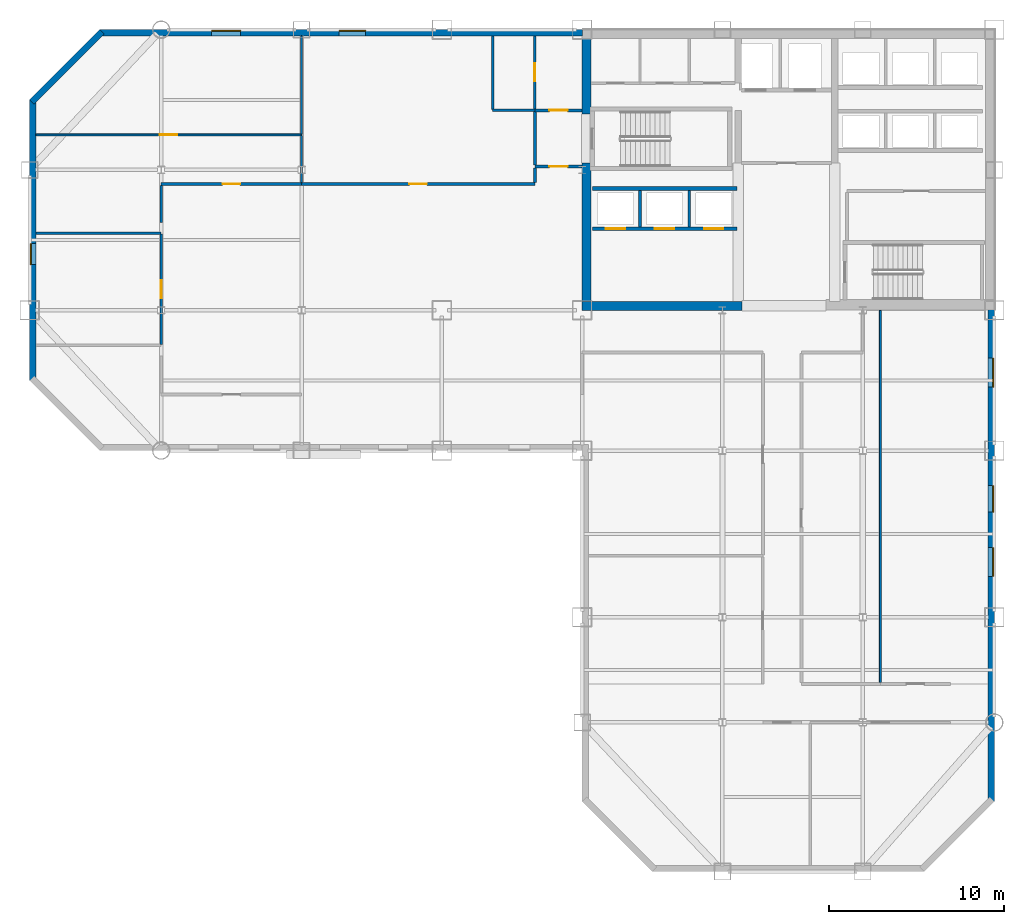
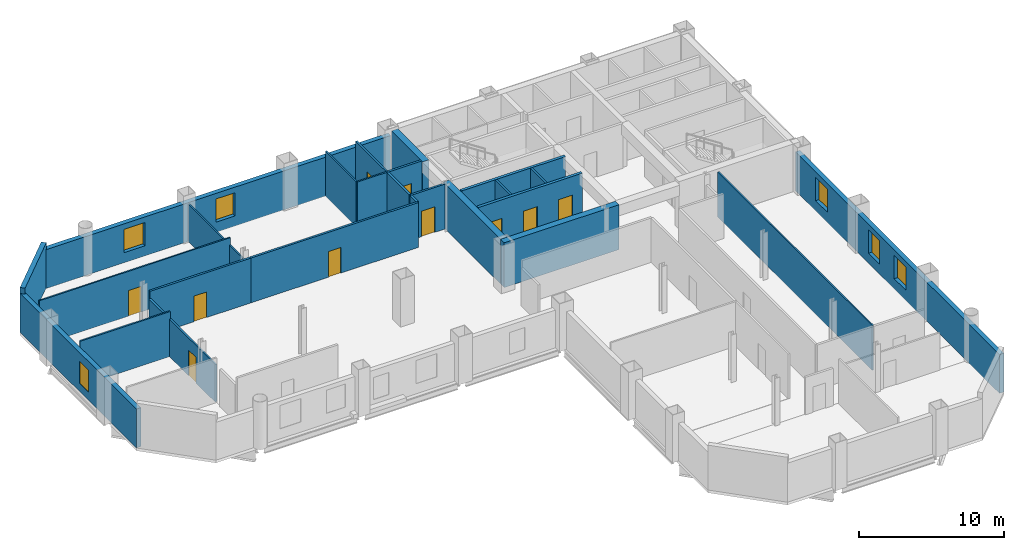
# One storey, part 6 of 9: 27 walls, 10 doors, 6 windows, 16 openings.
"""IFC4 building model written with IfcOpenShell, lengths in metres."""

from ifc_helpers import new_model, si_unit, direction, frame, frame_2d, origin, place, context, subcontext, project, spatial, rectangle, extrude, material, layer, layer_set, type_object, element, fill, save


model = new_model("IFC4")

# Units and contexts
model_context = context("Model", 3, precision=1e-05, world=origin(), true_north=direction((0.0, 1.0)))
body_context = subcontext(model_context, "Body", "Model", "MODEL_VIEW")
ifc_project = project(units=[si_unit("LENGTHUNIT", "METRE"), si_unit("AREAUNIT", "SQUARE_METRE"), si_unit("VOLUMEUNIT", "CUBIC_METRE"), si_unit("PLANEANGLEUNIT", "RADIAN"), si_unit("MASSUNIT", "GRAM", prefix="KILO")], contexts=[model_context])

# Site, building, storey
site_placement = place(None, origin())
site = spatial("IfcSite", under=ifc_project, at=site_placement, CompositionType="ELEMENT")
building_placement = place(site_placement, origin())
building = spatial("IfcBuilding", under=site, at=building_placement, Name="Qianrong Seaharbour Tower", CompositionType="ELEMENT")
storey_placement = place(building_placement, frame((0.0, 0.0, 155.0)))
storey = spatial("IfcBuildingStorey", under=building, at=storey_placement, Name="L37", CompositionType="ELEMENT", Elevation=155.0)

# Walls
ifc_material_1 = material(Name="Concrete C60/75", Category="concrete")
ifc_layer_1 = layer(ifc_material_1, 0.5)
ifc_layer_set_1 = layer_set([ifc_layer_1], Name="Concrete C60/75")
wall_type_1 = type_object("IfcWallType", Name="WALL-CORE-500", PredefinedType="SHEAR", material=ifc_layer_set_1)
wall_1_placement = place(storey_placement, frame((40.75, 36.5, 0.0), z_axis=(0.0, 0.0, 1.0), x_axis=(0.0, 1.0, 0.0)))
element("IfcWall", 1, at=wall_1_placement, inside=storey, type_object=wall_type_1, Name="L37 West Core Shear Wall South", PredefinedType="SHEAR", context=body_context, shape_type="SweptSolid", body=[
    extrude(rectangle(XDim=7.89990234375, YDim=0.5, at=frame_2d((3.949951171875, 0.0))), origin(), (0.0, 0.0, 1.0), 3.764892578125),
])
wall_2_placement = place(storey_placement, frame((40.75, 47.199951171875, 0.0), z_axis=(0.0, 0.0, 1.0), x_axis=(0.0, 1.0, 0.0)))
element("IfcWall", 2, at=wall_2_placement, inside=storey, type_object=wall_type_1, Name="L37 West Core Shear Wall North", PredefinedType="SHEAR", context=body_context, shape_type="SweptSolid", body=[
    extrude(rectangle(XDim=4.300048828125, YDim=0.5, at=frame_2d((2.14990234375, 0.0))), origin(), (0.0, 0.0, 1.0), 3.764892578125),
])
wall_3_placement = place(storey_placement, frame((40.5, 36.25, 0.0), z_axis=(0.0, 0.0, 1.0), x_axis=(1.0, 0.0, 0.0)))
element("IfcWall", 3, at=wall_3_placement, inside=storey, type_object=wall_type_1, Name="L37 South Core Shear Wall S1", PredefinedType="SHEAR", context=body_context, shape_type="SweptSolid", body=[
    extrude(rectangle(XDim=9.10009765625, YDim=0.5, at=frame_2d((4.550048828125, 0.0))), origin(), (0.0, 0.0, 1.0), 3.764892578125),
])

# Wall, opening, door
ifc_material_2 = material(Name="Fire-rated acoustic gypsum board partition")
ifc_layer_2 = layer(ifc_material_2, 0.1650390625)
ifc_layer_set_2 = layer_set([ifc_layer_2], Name="Fire-rated acoustic gypsum board partition")
wall_type_2 = type_object("IfcWallType", Name="WALL-CORR-PART-165", PredefinedType="PARTITIONING", material=ifc_layer_set_2)
wall_4_placement = place(storey_placement, frame((37.800048828125, 47.39990234375, 0.0), z_axis=(0.0, 0.0, 1.0), x_axis=(1.0, 0.0, 0.0)))
wall_4 = element("IfcWall", 4, at=wall_4_placement, inside=storey, type_object=wall_type_2, Name="L37 Interior Partition Wall 001", PredefinedType="PARTITIONING", context=body_context, shape_type="SweptSolid", body=[
    extrude(rectangle(XDim=2.699951171875, YDim=0.1650390625, at=frame_2d((1.35009765625, 0.0))), origin(), (0.0, 0.0, 1.0), 3.764892578125),
])
opening_1_placement = place(wall_4_placement, frame((0.824951171875, 0.0, 0.0)))
opening_1 = element("IfcOpeningElement", 5, at=opening_1_placement, cuts=wall_4, Name="Opening DC-01", PredefinedType="OPENING", context=body_context, shape_type="SweptSolid", body=[
    extrude(rectangle(XDim=1.050048828125, YDim=2.14990234375, at=frame_2d((0.52490234375, 1.074951171875))), frame((0.0, 0.092529296875, 0.0), z_axis=(0.0, -1.0, 0.0), x_axis=(1.0, 0.0, 0.0)), (0.0, 0.0, 1.0), 0.18505859375),
])
ifc_material_3 = material(Name="Acoustic timber and galvanized steel fire door assembly", Category="steel")
door_type_1 = type_object("IfcDoorType", Name="DOOR-CORR-FD60-1050x2150", OperationType="NOTDEFINED", PredefinedType="DOOR", material=ifc_material_3)
door_1_placement = place(opening_1_placement, origin())
door_1 = element("IfcDoor", 6, at=door_1_placement, inside=storey, type_object=door_type_1, Name="L37 Smokeproof Stair Vestibule ST-1 Door", OperationType="SINGLE_SWING_LEFT", OverallHeight=2.14990234375, OverallWidth=1.050048828125, PredefinedType="DOOR", context=body_context, shape_type="SweptSolid", body=[
    extrude(rectangle(XDim=1.050048828125, YDim=2.14990234375, at=frame_2d((0.52490234375, 1.074951171875))), frame((0.0, 0.02490234375, 0.0), z_axis=(0.0, -1.0, 0.0), x_axis=(1.0, 0.0, 0.0)), (0.0, 0.0, 1.0), 0.050048828125),
])
fill(opening_1, door_1)

wall_5_placement = place(storey_placement, frame((40.5, 44.199951171875, 0.0), z_axis=(0.0, 0.0, 1.0), x_axis=(-1.0, 0.0, 0.0)))
wall_5 = element("IfcWall", 7, at=wall_5_placement, inside=storey, type_object=wall_type_2, Name="L37 Interior Partition Wall 002", PredefinedType="PARTITIONING", context=body_context, shape_type="SweptSolid", body=[
    extrude(rectangle(XDim=2.699951171875, YDim=0.1650390625, at=frame_2d((1.35009765625, 0.0))), origin(), (0.0, 0.0, 1.0), 3.764892578125),
])
opening_2_placement = place(wall_5_placement, frame((0.824951171875, 0.0, 0.0)))
opening_2 = element("IfcOpeningElement", 8, at=opening_2_placement, cuts=wall_5, Name="Opening DC-01", PredefinedType="OPENING", context=body_context, shape_type="SweptSolid", body=[
    extrude(rectangle(XDim=1.050048828125, YDim=2.14990234375, at=frame_2d((0.52490234375, 1.074951171875))), frame((0.0, 0.092529296875, 0.0), z_axis=(0.0, -1.0, 0.0), x_axis=(1.0, 0.0, 0.0)), (0.0, 0.0, 1.0), 0.18505859375),
])
door_2_placement = place(opening_2_placement, origin())
door_2 = element("IfcDoor", 9, at=door_2_placement, inside=storey, type_object=door_type_1, Name="L37 Smokeproof Stair Vestibule ST-1 Door", OperationType="SINGLE_SWING_RIGHT", OverallHeight=2.14990234375, OverallWidth=1.050048828125, PredefinedType="DOOR", context=body_context, shape_type="SweptSolid", body=[
    extrude(rectangle(XDim=1.050048828125, YDim=2.14990234375, at=frame_2d((0.52490234375, 1.074951171875))), frame((0.0, 0.02490234375, 0.0), z_axis=(0.0, -1.0, 0.0), x_axis=(1.0, 0.0, 0.0)), (0.0, 0.0, 1.0), 0.050048828125),
])
fill(opening_2, door_2)

# Wall
wall_6_placement = place(storey_placement, frame((37.800048828125, 44.2744140625, 0.0), z_axis=(0.0, 0.0, 1.0), x_axis=(0.0, 1.0, 0.0)))
element("IfcWall", 10, at=wall_6_placement, inside=storey, type_object=wall_type_2, Name="L37 Interior Partition Wall 003", PredefinedType="PARTITIONING", context=body_context, shape_type="SweptSolid", body=[
    extrude(rectangle(XDim=3.051025390625, YDim=0.1650390625, at=frame_2d((1.525390625, 0.0))), origin(), (0.0, 0.0, 1.0), 3.764892578125),
])

# Wall, opening, door
wall_7_placement = place(storey_placement, frame((24.5, 43.199951171875, 0.0), z_axis=(0.0, 0.0, 1.0), x_axis=(1.0, 0.0, 0.0)))
wall_7 = element("IfcWall", 11, at=wall_7_placement, inside=storey, type_object=wall_type_2, Name="L37 Interior Partition Wall 017", PredefinedType="PARTITIONING", context=body_context, shape_type="SweptSolid", body=[
    extrude(rectangle(XDim=13.300048828125, YDim=0.1650390625, at=frame_2d((6.64990234375, 0.0))), origin(), (0.0, 0.0, 1.0), 3.764892578125),
])
opening_3_placement = place(wall_7_placement, frame((6.14990234375, 0.0, 0.0)))
opening_3 = element("IfcOpeningElement", 12, at=opening_3_placement, cuts=wall_7, Name="Opening DO-01", PredefinedType="OPENING", context=body_context, shape_type="SweptSolid", body=[
    extrude(rectangle(XDim=1.0, YDim=2.14990234375, at=frame_2d((0.5, 1.074951171875))), frame((0.0, 0.092529296875, 0.0), z_axis=(0.0, -1.0, 0.0), x_axis=(1.0, 0.0, 0.0)), (0.0, 0.0, 1.0), 0.18505859375),
])
door_type_2 = type_object("IfcDoorType", Name="DOOR-OFFICE-1000x2150", OperationType="NOTDEFINED", PredefinedType="DOOR", material=ifc_material_3)
door_3_placement = place(opening_3_placement, origin())
door_3 = element("IfcDoor", 13, at=door_3_placement, inside=storey, type_object=door_type_2, Name="L37 Central Spine Open-Plan Office Door", OperationType="SINGLE_SWING_RIGHT", OverallHeight=2.14990234375, OverallWidth=1.0, PredefinedType="DOOR", context=body_context, shape_type="SweptSolid", body=[
    extrude(rectangle(XDim=1.0, YDim=2.14990234375, at=frame_2d((0.5, 1.074951171875))), frame((0.0, 0.02490234375, 0.0), z_axis=(0.0, -1.0, 0.0), x_axis=(1.0, 0.0, 0.0)), (0.0, 0.0, 1.0), 0.050048828125),
])
fill(opening_3, door_3)

# Wall
wall_8_placement = place(storey_placement, frame((16.5, 41.0, 0.0), z_axis=(0.0, 0.0, 1.0), x_axis=(0.0, 1.0, 0.0)))
element("IfcWall", 14, at=wall_8_placement, inside=storey, type_object=wall_type_2, Name="L37 Interior Partition Wall 018", PredefinedType="PARTITIONING", context=body_context, shape_type="SweptSolid", body=[
    extrude(rectangle(XDim=2.12548828125, YDim=0.1650390625, at=frame_2d((1.062744140625, 0.0))), origin(), (0.0, 0.0, 1.0), 3.156982421875),
])

# Wall, opening, door
wall_9_placement = place(storey_placement, frame((16.5, 43.199951171875, 0.0), z_axis=(0.0, 0.0, 1.0), x_axis=(1.0, 0.0, 0.0)))
wall_9 = element("IfcWall", 15, at=wall_9_placement, inside=storey, type_object=wall_type_2, Name="L37 Interior Partition Wall 019", PredefinedType="PARTITIONING", context=body_context, shape_type="SweptSolid", body=[
    extrude(rectangle(XDim=8.0, YDim=0.1650390625, at=frame_2d((4.0, 0.0))), origin(), (0.0, 0.0, 1.0), 3.764892578125),
])
opening_4_placement = place(wall_9_placement, frame((3.5, 0.0, 0.0)))
opening_4 = element("IfcOpeningElement", 16, at=opening_4_placement, cuts=wall_9, Name="Opening DO-01", PredefinedType="OPENING", context=body_context, shape_type="SweptSolid", body=[
    extrude(rectangle(XDim=1.0, YDim=2.14990234375, at=frame_2d((0.5, 1.074951171875))), frame((0.0, 0.092529296875, 0.0), z_axis=(0.0, -1.0, 0.0), x_axis=(1.0, 0.0, 0.0)), (0.0, 0.0, 1.0), 0.18505859375),
])
door_4_placement = place(opening_4_placement, origin())
door_4 = element("IfcDoor", 17, at=door_4_placement, inside=storey, type_object=door_type_2, Name="L37 Hospitality Dining Room 3 Door", OperationType="SINGLE_SWING_LEFT", OverallHeight=2.14990234375, OverallWidth=1.0, PredefinedType="DOOR", context=body_context, shape_type="SweptSolid", body=[
    extrude(rectangle(XDim=1.0, YDim=2.14990234375, at=frame_2d((0.5, 1.074951171875))), frame((0.0, 0.02490234375, 0.0), z_axis=(0.0, -1.0, 0.0), x_axis=(1.0, 0.0, 0.0)), (0.0, 0.0, 1.0), 0.050048828125),
])
fill(opening_4, door_4)

# Walls
wall_10_placement = place(storey_placement, frame((37.800048828125, 43.2744140625, 0.0), z_axis=(0.0, 0.0, 1.0), x_axis=(0.0, 1.0, 0.0)))
element("IfcWall", 18, at=wall_10_placement, inside=storey, type_object=wall_type_2, Name="L37 Interior Partition Wall 021", PredefinedType="PARTITIONING", context=body_context, shape_type="SweptSolid", body=[
    extrude(rectangle(XDim=0.85107421875, YDim=0.1650390625, at=frame_2d((0.425537109375, 0.0))), origin(), (0.0, 0.0, 1.0), 3.764892578125),
])
ifc_material_4 = material(Name="Demountable aluminium-framed acoustic office partition", Category="aluminium")
ifc_layer_3 = layer(ifc_material_4, 0.110107421875)
ifc_layer_set_3 = layer_set([ifc_layer_3], Name="Demountable aluminium-framed acoustic office partition")
wall_type_3 = type_object("IfcWallType", Name="WALL-DEMOUNT-110", PredefinedType="MOVABLE", material=ifc_layer_set_3)
wall_11_placement = place(storey_placement, frame((24.5, 43.2744140625, 0.0), z_axis=(0.0, 0.0, 1.0), x_axis=(0.0, 1.0, 0.0)))
element("IfcWall", 19, at=wall_11_placement, inside=storey, type_object=wall_type_3, Name="L37 Interior Partition Wall 033", PredefinedType="MOVABLE", context=body_context, shape_type="SweptSolid", body=[
    extrude(rectangle(XDim=2.678466796875, YDim=0.110107421875, at=frame_2d((1.33935546875, 0.0))), origin(), (0.0, 0.0, 1.0), 3.156982421875),
])
wall_12_placement = place(storey_placement, frame((24.5, 46.047119140625, 0.0), z_axis=(0.0, 0.0, 1.0), x_axis=(0.0, 1.0, 0.0)))
element("IfcWall", 20, at=wall_12_placement, inside=storey, type_object=wall_type_3, Name="L37 Interior Partition Wall 034", PredefinedType="MOVABLE", context=body_context, shape_type="SweptSolid", body=[
    extrude(rectangle(XDim=5.600830078125, YDim=0.110107421875, at=frame_2d((2.80029296875, 0.0))), origin(), (0.0, 0.0, 1.0), 3.156982421875),
])

# Wall, opening, door
wall_13_placement = place(storey_placement, frame((9.35205078125, 46.0, 0.0), z_axis=(0.0, 0.0, 1.0), x_axis=(1.0, 0.0, 0.0)))
wall_13 = element("IfcWall", 21, at=wall_13_placement, inside=storey, type_object=wall_type_3, Name="L37 Interior Partition Wall 037", PredefinedType="MOVABLE", context=body_context, shape_type="SweptSolid", body=[
    extrude(rectangle(XDim=15.14794921875, YDim=0.110107421875, at=frame_2d((7.573974609375, 0.0))), origin(), (0.0, 0.0, 1.0), 3.764892578125),
])
opening_5_placement = place(wall_13_placement, frame((7.073974609375, 0.0, 0.0)))
opening_5 = element("IfcOpeningElement", 22, at=opening_5_placement, cuts=wall_13, Name="Opening DO-01", PredefinedType="OPENING", context=body_context, shape_type="SweptSolid", body=[
    extrude(rectangle(XDim=1.0, YDim=2.14990234375, at=frame_2d((0.5, 1.074951171875))), frame((0.0, 0.06494140625, 0.0), z_axis=(0.0, -1.0, 0.0), x_axis=(1.0, 0.0, 0.0)), (0.0, 0.0, 1.0), 0.130126953125),
])
door_5_placement = place(opening_5_placement, origin())
door_5 = element("IfcDoor", 23, at=door_5_placement, inside=storey, type_object=door_type_2, Name="L37 Quiet Sitting Lounge 4 Door", OperationType="SINGLE_SWING_RIGHT", OverallHeight=2.14990234375, OverallWidth=1.0, PredefinedType="DOOR", context=body_context, shape_type="SweptSolid", body=[
    extrude(rectangle(XDim=1.0, YDim=2.14990234375, at=frame_2d((0.5, 1.074951171875))), frame((0.0, 0.02490234375, 0.0), z_axis=(0.0, -1.0, 0.0), x_axis=(1.0, 0.0, 0.0)), (0.0, 0.0, 1.0), 0.050048828125),
])
fill(opening_5, door_5)

# Wall
wall_14_placement = place(storey_placement, frame((57.5, 36.0, 0.0), z_axis=(0.0, 0.0, 1.0), x_axis=(0.0, -1.0, 0.0)))
element("IfcWall", 24, at=wall_14_placement, inside=storey, type_object=wall_type_3, Name="L37 Interior Partition Wall 038", PredefinedType="MOVABLE", context=body_context, shape_type="SweptSolid", body=[
    extrude(rectangle(XDim=21.2255859375, YDim=0.110107421875, at=frame_2d((10.61279296875, 0.0))), origin(), (0.0, 0.0, 1.0), 3.764892578125),
])

# Wall, opening, window
ifc_material_5 = material(Name="Unitised red brick on Precast concrete C45/55", Category="masonry")
ifc_layer_4 = layer(ifc_material_5, 0.360107421875)
ifc_layer_set_4 = layer_set([ifc_layer_4], Name="Unitised red brick on Precast concrete C45/55")
wall_type_4 = type_object("IfcWallType", Name="WALL-EXT-BRICK-RED-360", PredefinedType="SOLIDWALL", material=ifc_layer_set_4)
wall_15_placement = place(storey_placement, frame((9.179931640625, 32.0, 0.0), z_axis=(0.0, 0.0, 1.0), x_axis=(0.0, 1.0, 0.0)))
wall_15 = element("IfcWall", 25, at=wall_15_placement, inside=storey, type_object=wall_type_4, Name="L37 Exterior Masonry Facade Wall WEST_TIP", PredefinedType="SOLIDWALL", context=body_context, shape_type="SweptSolid", body=[
    extrude(rectangle(XDim=16.0, YDim=0.360107421875, at=frame_2d((8.0, 0.0))), origin(), (0.0, 0.0, 1.0), 3.264892578125),
])
opening_6_placement = place(wall_15_placement, frame((6.60009765625, 0.0, 0.699951171875)))
opening_6 = element("IfcOpeningElement", 26, at=opening_6_placement, cuts=wall_15, Name="Opening WN-01", PredefinedType="OPENING", context=body_context, shape_type="SweptSolid", body=[
    extrude(rectangle(XDim=1.199951171875, YDim=1.85009765625, at=frame_2d((0.60009765625, 0.925048828125))), frame((0.0, 0.18994140625, 0.0), z_axis=(0.0, -1.0, 0.0), x_axis=(1.0, 0.0, 0.0)), (0.0, 0.0, 1.0), 0.380126953125),
])
ifc_material_6 = material(Name="Insulated low-e double glazing in thermally broken aluminium 6063-T6 frame", Category="aluminium")
window_type_1 = type_object("IfcWindowType", Name="WIN-PUNCH-1200x1850", PartitioningType="DOUBLE_PANEL_VERTICAL", PredefinedType="WINDOW", material=ifc_material_6)
window_1_placement = place(opening_6_placement, origin())
window_1 = element("IfcWindow", 27, at=window_1_placement, inside=storey, type_object=window_type_1, Name="L37 Deep-Set Punched Window 03.02", OverallHeight=1.85009765625, OverallWidth=1.199951171875, PartitioningType="DOUBLE_PANEL_VERTICAL", PredefinedType="WINDOW", context=body_context, shape_type="SweptSolid", body=[
    extrude(rectangle(XDim=1.199951171875, YDim=1.85009765625, at=frame_2d((0.60009765625, 0.925048828125))), frame((0.0, 0.150146484375, 0.0), z_axis=(0.0, -1.0, 0.0), x_axis=(1.0, 0.0, 0.0)), (0.0, 0.0, 1.0), 0.06005859375),
])
fill(opening_6, window_1)

# Wall
wall_16_placement = place(storey_placement, frame((9.127197265625, 47.872802734375, 0.0), z_axis=(0.0, 0.0, 1.0), x_axis=(0.707106781187, 0.707106781187, 0.0)))
element("IfcWall", 28, at=wall_16_placement, inside=storey, type_object=wall_type_4, Name="L37 Exterior Masonry Facade Wall E04", PredefinedType="SOLIDWALL", context=body_context, shape_type="SweptSolid", body=[
    extrude(rectangle(XDim=5.65673828125, YDim=0.360107421875, at=frame_2d((2.828369140625, 0.0))), origin(), (0.0, 0.0, 1.0), 3.764892578125),
])

# Wall, openings, windows
wall_17_placement = place(storey_placement, frame((13.0, 51.820068359375, 0.0), z_axis=(0.0, 0.0, 1.0), x_axis=(1.0, 0.0, 0.0)))
wall_17 = element("IfcWall", 29, at=wall_17_placement, inside=storey, type_object=wall_type_4, Name="L37 Exterior Masonry Facade Wall NORTH_WING", PredefinedType="SOLIDWALL", context=body_context, shape_type="SweptSolid", body=[
    extrude(rectangle(XDim=27.52001953125, YDim=0.360107421875, at=frame_2d((13.760009765625, 0.0))), origin(), (0.0, 0.0, 1.0), 3.264892578125),
])
opening_7_placement = place(wall_17_placement, frame((6.375, 0.0, 0.85009765625)))
opening_7 = element("IfcOpeningElement", 30, at=opening_7_placement, cuts=wall_17, Name="Opening WN-04", PredefinedType="OPENING", context=body_context, shape_type="SweptSolid", body=[
    extrude(rectangle(XDim=1.64990234375, YDim=1.949951171875, at=frame_2d((0.824951171875, 0.97509765625))), frame((0.0, 0.18994140625, 0.0), z_axis=(0.0, -1.0, 0.0), x_axis=(1.0, 0.0, 0.0)), (0.0, 0.0, 1.0), 0.380126953125),
])
opening_8_placement = place(wall_17_placement, frame((13.64990234375, 0.0, 0.85009765625)))
opening_8 = element("IfcOpeningElement", 31, at=opening_8_placement, cuts=wall_17, Name="Opening WN-03", PredefinedType="OPENING", context=body_context, shape_type="SweptSolid", body=[
    extrude(rectangle(XDim=1.5, YDim=1.949951171875, at=frame_2d((0.75, 0.97509765625))), frame((0.0, 0.18994140625, 0.0), z_axis=(0.0, -1.0, 0.0), x_axis=(1.0, 0.0, 0.0)), (0.0, 0.0, 1.0), 0.380126953125),
])
window_type_2 = type_object("IfcWindowType", Name="WIN-PUNCH-1500x1950", PartitioningType="DOUBLE_PANEL_VERTICAL", PredefinedType="WINDOW", material=ifc_material_6)
window_2_placement = place(opening_8_placement, origin())
window_2 = element("IfcWindow", 32, at=window_2_placement, inside=storey, type_object=window_type_2, Name="L37 Deep-Set Punched Window 05.04", OverallHeight=1.949951171875, OverallWidth=1.5, PartitioningType="DOUBLE_PANEL_VERTICAL", PredefinedType="WINDOW", context=body_context, shape_type="SweptSolid", body=[
    extrude(rectangle(XDim=1.5, YDim=1.949951171875, at=frame_2d((0.75, 0.97509765625))), frame((0.0, 0.150146484375, 0.0), z_axis=(0.0, -1.0, 0.0), x_axis=(1.0, 0.0, 0.0)), (0.0, 0.0, 1.0), 0.06005859375),
])
fill(opening_8, window_2)
window_type_3 = type_object("IfcWindowType", Name="WIN-PUNCH-1650x1950", PartitioningType="DOUBLE_PANEL_VERTICAL", PredefinedType="WINDOW", material=ifc_material_6)
window_3_placement = place(opening_7_placement, origin())
window_3 = element("IfcWindow", 33, at=window_3_placement, inside=storey, type_object=window_type_3, Name="L37 Deep-Set Punched Window 05.02", OverallHeight=1.949951171875, OverallWidth=1.64990234375, PartitioningType="DOUBLE_PANEL_VERTICAL", PredefinedType="WINDOW", context=body_context, shape_type="SweptSolid", body=[
    extrude(rectangle(XDim=1.64990234375, YDim=1.949951171875, at=frame_2d((0.824951171875, 0.97509765625))), frame((0.0, 0.150146484375, 0.0), z_axis=(0.0, -1.0, 0.0), x_axis=(1.0, 0.0, 0.0)), (0.0, 0.0, 1.0), 0.06005859375),
])
fill(opening_7, window_3)

wall_18_placement = place(storey_placement, frame((63.820068359375, 36.050048828125, 0.0), z_axis=(0.0, 0.0, 1.0), x_axis=(0.0, -1.0, 0.0)))
wall_18 = element("IfcWall", 34, at=wall_18_placement, inside=storey, type_object=wall_type_4, Name="L37 Exterior Masonry Facade Wall EAST_WING", PredefinedType="SOLIDWALL", context=body_context, shape_type="SweptSolid", body=[
    extrude(rectangle(XDim=28.050048828125, YDim=0.360107421875, at=frame_2d((14.02490234375, 0.0))), origin(), (0.0, 0.0, 1.0), 3.264892578125),
])
opening_9_placement = place(wall_18_placement, frame((2.77490234375, 0.0, 0.85009765625)))
opening_9 = element("IfcOpeningElement", 35, at=opening_9_placement, cuts=wall_18, Name="Opening WN-04", PredefinedType="OPENING", context=body_context, shape_type="SweptSolid", body=[
    extrude(rectangle(XDim=1.64990234375, YDim=1.949951171875, at=frame_2d((0.824951171875, 0.97509765625))), frame((0.0, 0.18994140625, 0.0), z_axis=(0.0, -1.0, 0.0), x_axis=(1.0, 0.0, 0.0)), (0.0, 0.0, 1.0), 0.380126953125),
])
opening_10_placement = place(wall_18_placement, frame((10.050048828125, 0.0, 0.85009765625)))
opening_10 = element("IfcOpeningElement", 36, at=opening_10_placement, cuts=wall_18, Name="Opening WN-03", PredefinedType="OPENING", context=body_context, shape_type="SweptSolid", body=[
    extrude(rectangle(XDim=1.5, YDim=1.949951171875, at=frame_2d((0.75, 0.97509765625))), frame((0.0, 0.18994140625, 0.0), z_axis=(0.0, -1.0, 0.0), x_axis=(1.0, 0.0, 0.0)), (0.0, 0.0, 1.0), 0.380126953125),
])
opening_11_placement = place(wall_18_placement, frame((13.574951171875, 0.0, 0.85009765625)))
opening_11 = element("IfcOpeningElement", 37, at=opening_11_placement, cuts=wall_18, Name="Opening WN-04", PredefinedType="OPENING", context=body_context, shape_type="SweptSolid", body=[
    extrude(rectangle(XDim=1.64990234375, YDim=1.949951171875, at=frame_2d((0.824951171875, 0.97509765625))), frame((0.0, 0.18994140625, 0.0), z_axis=(0.0, -1.0, 0.0), x_axis=(1.0, 0.0, 0.0)), (0.0, 0.0, 1.0), 0.380126953125),
])
window_4_placement = place(opening_10_placement, origin())
window_4 = element("IfcWindow", 38, at=window_4_placement, inside=storey, type_object=window_type_2, Name="L37 Deep-Set Punched Window 06.03", OverallHeight=1.949951171875, OverallWidth=1.5, PartitioningType="DOUBLE_PANEL_VERTICAL", PredefinedType="WINDOW", context=body_context, shape_type="SweptSolid", body=[
    extrude(rectangle(XDim=1.5, YDim=1.949951171875, at=frame_2d((0.75, 0.97509765625))), frame((0.0, 0.150146484375, 0.0), z_axis=(0.0, -1.0, 0.0), x_axis=(1.0, 0.0, 0.0)), (0.0, 0.0, 1.0), 0.06005859375),
])
fill(opening_10, window_4)
window_5_placement = place(opening_9_placement, origin())
window_5 = element("IfcWindow", 39, at=window_5_placement, inside=storey, type_object=window_type_3, Name="L37 Deep-Set Punched Window 06.01", OverallHeight=1.949951171875, OverallWidth=1.64990234375, PartitioningType="DOUBLE_PANEL_VERTICAL", PredefinedType="WINDOW", context=body_context, shape_type="SweptSolid", body=[
    extrude(rectangle(XDim=1.64990234375, YDim=1.949951171875, at=frame_2d((0.824951171875, 0.97509765625))), frame((0.0, 0.150146484375, 0.0), z_axis=(0.0, -1.0, 0.0), x_axis=(1.0, 0.0, 0.0)), (0.0, 0.0, 1.0), 0.06005859375),
])
fill(opening_9, window_5)
window_6_placement = place(opening_11_placement, origin())
window_6 = element("IfcWindow", 40, at=window_6_placement, inside=storey, type_object=window_type_3, Name="L37 Deep-Set Punched Window 06.04", OverallHeight=1.949951171875, OverallWidth=1.64990234375, PartitioningType="DOUBLE_PANEL_VERTICAL", PredefinedType="WINDOW", context=body_context, shape_type="SweptSolid", body=[
    extrude(rectangle(XDim=1.64990234375, YDim=1.949951171875, at=frame_2d((0.824951171875, 0.97509765625))), frame((0.0, 0.150146484375, 0.0), z_axis=(0.0, -1.0, 0.0), x_axis=(1.0, 0.0, 0.0)), (0.0, 0.0, 1.0), 0.06005859375),
])
fill(opening_11, window_6)

# Walls
ifc_material_7 = material(Name="Fire-rated gypsum board on steel studs", Category="steel")
ifc_layer_5 = layer(ifc_material_7, 0.14990234375)
ifc_layer_set_5 = layer_set([ifc_layer_5], Name="Fire-rated gypsum board on steel studs")
wall_type_5 = type_object("IfcWallType", Name="WALL-SHAFT-DIV-150", PredefinedType="PARTITIONING", material=ifc_layer_set_5)
for number, where, z_axis, x_axis, name in (
    (41, (43.800048828125, 40.760009765625, 0.0), (0.0, 0.0, 1.0), (0.0, 1.0, 0.0), "L37 P2 Lift Hoistway Divider 2"),
    (42, (46.60009765625, 40.760009765625, 0.0), (0.0, 0.0, 1.0), (0.0, 1.0, 0.0), "L37 P2 Lift Hoistway Divider 3"),
):
    element("IfcWall", number, at=place(storey_placement, frame(where, z_axis=z_axis, x_axis=x_axis)), inside=storey, type_object=wall_type_5, Name=name, PredefinedType="PARTITIONING", context=body_context, shape_type="SweptSolid", body=[
        extrude(rectangle(XDim=2.080078125, YDim=0.14990234375, at=frame_2d((1.0400390625, 0.0))), origin(), (0.0, 0.0, 1.0), 3.764892578125),
    ])

# Wall, openings, doors
ifc_layer_6 = layer(ifc_material_7, 0.219970703125)
ifc_layer_set_6 = layer_set([ifc_layer_6], Name="Fire-rated gypsum board on steel studs")
wall_type_6 = type_object("IfcWallType", Name="WALL-SHAFT-GYP220", PredefinedType="PARTITIONING", material=ifc_layer_set_6)
wall_19_placement = place(storey_placement, frame((49.320068359375, 40.64990234375, 0.0), z_axis=(0.0, 0.0, 1.0), x_axis=(-1.0, 0.0, 0.0)))
wall_19 = element("IfcWall", 43, at=wall_19_placement, inside=storey, type_object=wall_type_6, Name="L37 P2 Lift Hoistway Front Wall", PredefinedType="PARTITIONING", context=body_context, shape_type="SweptSolid", body=[
    extrude(rectangle(XDim=8.239990234375, YDim=0.219970703125, at=frame_2d((4.1201171875, 0.0))), origin(), (0.0, 0.0, 1.0), 3.764892578125),
])
opening_12_placement = place(wall_19_placement, frame((6.3701171875, 0.0, 0.0)))
opening_12 = element("IfcOpeningElement", 44, at=opening_12_placement, cuts=wall_19, Name="Opening LD-02", PredefinedType="OPENING", context=body_context, shape_type="SweptSolid", body=[
    extrude(rectangle(XDim=1.10009765625, YDim=2.199951171875, at=frame_2d((0.550048828125, 1.10009765625))), frame((0.0, 0.1201171875, 0.0), z_axis=(0.0, -1.0, 0.0), x_axis=(1.0, 0.0, 0.0)), (0.0, 0.0, 1.0), 0.239990234375),
])
opening_13_placement = place(wall_19_placement, frame((3.570068359375, 0.0, 0.0)))
opening_13 = element("IfcOpeningElement", 45, at=opening_13_placement, cuts=wall_19, Name="Opening LD-02", PredefinedType="OPENING", context=body_context, shape_type="SweptSolid", body=[
    extrude(rectangle(XDim=1.10009765625, YDim=2.199951171875, at=frame_2d((0.550048828125, 1.10009765625))), frame((0.0, 0.1201171875, 0.0), z_axis=(0.0, -1.0, 0.0), x_axis=(1.0, 0.0, 0.0)), (0.0, 0.0, 1.0), 0.239990234375),
])
opening_14_placement = place(wall_19_placement, frame((0.77001953125, 0.0, 0.0)))
opening_14 = element("IfcOpeningElement", 46, at=opening_14_placement, cuts=wall_19, Name="Opening LD-02", PredefinedType="OPENING", context=body_context, shape_type="SweptSolid", body=[
    extrude(rectangle(XDim=1.10009765625, YDim=2.199951171875, at=frame_2d((0.550048828125, 1.10009765625))), frame((0.0, 0.1201171875, 0.0), z_axis=(0.0, -1.0, 0.0), x_axis=(1.0, 0.0, 0.0)), (0.0, 0.0, 1.0), 0.239990234375),
])
ifc_material_8 = material(Name="Stainless steel SUS316L bi-parting lift landing door", Category="steel")
door_type_3 = type_object("IfcDoorType", Name="DOOR-LIFT-PASS-1100x2200", OperationType="DOUBLE_DOOR_SLIDING", PredefinedType="DOOR", material=ifc_material_8)
door_6_placement = place(opening_12_placement, origin())
door_6 = element("IfcDoor", 47, at=door_6_placement, inside=storey, type_object=door_type_3, Name="L37 PL-2A Lift Landing Door", OperationType="DOUBLE_DOOR_SLIDING", OverallHeight=2.199951171875, OverallWidth=1.10009765625, PredefinedType="DOOR", context=body_context, shape_type="SweptSolid", body=[
    extrude(rectangle(XDim=1.10009765625, YDim=2.199951171875, at=frame_2d((0.550048828125, 1.10009765625))), frame((0.0, 0.02490234375, 0.0), z_axis=(0.0, -1.0, 0.0), x_axis=(1.0, 0.0, 0.0)), (0.0, 0.0, 1.0), 0.050048828125),
])
fill(opening_12, door_6)
door_7_placement = place(opening_13_placement, origin())
door_7 = element("IfcDoor", 48, at=door_7_placement, inside=storey, type_object=door_type_3, Name="L37 PL-2B Lift Landing Door", OperationType="DOUBLE_DOOR_SLIDING", OverallHeight=2.199951171875, OverallWidth=1.10009765625, PredefinedType="DOOR", context=body_context, shape_type="SweptSolid", body=[
    extrude(rectangle(XDim=1.10009765625, YDim=2.199951171875, at=frame_2d((0.550048828125, 1.10009765625))), frame((0.0, 0.02490234375, 0.0), z_axis=(0.0, -1.0, 0.0), x_axis=(1.0, 0.0, 0.0)), (0.0, 0.0, 1.0), 0.050048828125),
])
fill(opening_13, door_7)
door_8_placement = place(opening_14_placement, origin())
door_8 = element("IfcDoor", 49, at=door_8_placement, inside=storey, type_object=door_type_3, Name="L37 PL-2C Lift Landing Door", OperationType="DOUBLE_DOOR_SLIDING", OverallHeight=2.199951171875, OverallWidth=1.10009765625, PredefinedType="DOOR", context=body_context, shape_type="SweptSolid", body=[
    extrude(rectangle(XDim=1.10009765625, YDim=2.199951171875, at=frame_2d((0.550048828125, 1.10009765625))), frame((0.0, 0.02490234375, 0.0), z_axis=(0.0, -1.0, 0.0), x_axis=(1.0, 0.0, 0.0)), (0.0, 0.0, 1.0), 0.050048828125),
])
fill(opening_14, door_8)

# Wall
wall_20_placement = place(storey_placement, frame((41.080078125, 42.949951171875, 0.0), z_axis=(0.0, 0.0, 1.0), x_axis=(1.0, 0.0, 0.0)))
element("IfcWall", 50, at=wall_20_placement, inside=storey, type_object=wall_type_6, Name="L37 P2 Lift Hoistway Back Wall", PredefinedType="PARTITIONING", context=body_context, shape_type="SweptSolid", body=[
    extrude(rectangle(XDim=8.239990234375, YDim=0.219970703125, at=frame_2d((4.1201171875, 0.0))), origin(), (0.0, 0.0, 1.0), 3.764892578125),
])

# Wall, opening, door
ifc_material_9 = material(Name="Water-resistant cement board sanitary partition")
ifc_layer_7 = layer(ifc_material_9, 0.1298828125)
ifc_layer_set_7 = layer_set([ifc_layer_7], Name="Water-resistant cement board sanitary partition")
wall_type_7 = type_object("IfcWallType", Name="WALL-WET-PART-130", PredefinedType="PARTITIONING", material=ifc_layer_set_7)
wall_21_placement = place(storey_placement, frame((37.800048828125, 47.474609375, 0.0), z_axis=(0.0, 0.0, 1.0), x_axis=(0.0, 1.0, 0.0)))
wall_21 = element("IfcWall", 51, at=wall_21_placement, inside=storey, type_object=wall_type_7, Name="L37 Interior Partition Wall 004", PredefinedType="PARTITIONING", context=body_context, shape_type="SweptSolid", body=[
    extrude(rectangle(XDim=4.17333984375, YDim=0.1298828125, at=frame_2d((2.086669921875, 0.0))), origin(), (0.0, 0.0, 1.0), 3.764892578125),
])
opening_15_placement = place(wall_21_placement, frame((1.57666015625, 0.0, 0.0)))
opening_15 = element("IfcOpeningElement", 52, at=opening_15_placement, cuts=wall_21, Name="Opening DAW-01", PredefinedType="OPENING", context=body_context, shape_type="SweptSolid", body=[
    extrude(rectangle(XDim=1.02001953125, YDim=2.14990234375, at=frame_2d((0.510009765625, 1.074951171875))), frame((0.0, 0.074951171875, 0.0), z_axis=(0.0, -1.0, 0.0), x_axis=(1.0, 0.0, 0.0)), (0.0, 0.0, 1.0), 0.14990234375),
])
door_type_4 = type_object("IfcDoorType", Name="DOOR-AWC-SLIDE-1020x2150", OperationType="SLIDING_TO_LEFT", PredefinedType="DOOR", material=ifc_material_3)
door_9_placement = place(opening_15_placement, origin())
door_9 = element("IfcDoor", 53, at=door_9_placement, inside=storey, type_object=door_type_4, Name="L37 Accessible Restroom WC Door", OperationType="SLIDING_TO_LEFT", OverallHeight=2.14990234375, OverallWidth=1.02001953125, PredefinedType="DOOR", context=body_context, shape_type="SweptSolid", body=[
    extrude(rectangle(XDim=1.02001953125, YDim=2.14990234375, at=frame_2d((0.510009765625, 1.074951171875))), frame((0.0, 0.02490234375, 0.0), z_axis=(0.0, -1.0, 0.0), x_axis=(1.0, 0.0, 0.0)), (0.0, 0.0, 1.0), 0.050048828125),
])
fill(opening_15, door_9)

# Walls
wall_22_placement = place(storey_placement, frame((37.800048828125, 47.39990234375, 0.0), z_axis=(0.0, 0.0, 1.0), x_axis=(-1.0, 0.0, 0.0)))
element("IfcWall", 54, at=wall_22_placement, inside=storey, type_object=wall_type_7, Name="L37 Interior Partition Wall 005", PredefinedType="PARTITIONING", context=body_context, shape_type="SweptSolid", body=[
    extrude(rectangle(XDim=2.400146484375, YDim=0.1298828125, at=frame_2d((1.2001953125, 0.0))), origin(), (0.0, 0.0, 1.0), 3.764892578125),
])
wall_23_placement = place(storey_placement, frame((35.39990234375, 47.45703125, 0.0), z_axis=(0.0, 0.0, 1.0), x_axis=(0.0, 1.0, 0.0)))
element("IfcWall", 55, at=wall_23_placement, inside=storey, type_object=wall_type_7, Name="L37 Interior Partition Wall 006", PredefinedType="PARTITIONING", context=body_context, shape_type="SweptSolid", body=[
    extrude(rectangle(XDim=4.19091796875, YDim=0.1298828125, at=frame_2d((2.095458984375, 0.0))), origin(), (0.0, 0.0, 1.0), 3.764892578125),
])

# Wall, opening, door
wall_24_placement = place(storey_placement, frame((16.5, 34.056884765625, 0.0), z_axis=(0.0, 0.0, 1.0), x_axis=(0.0, 1.0, 0.0)))
wall_24 = element("IfcWall", 56, at=wall_24_placement, inside=storey, type_object=wall_type_7, Name="L37 Interior Partition Wall 020", PredefinedType="PARTITIONING", context=body_context, shape_type="SweptSolid", body=[
    extrude(rectangle(XDim=6.2861328125, YDim=0.1298828125, at=frame_2d((3.14306640625, 0.0))), origin(), (0.0, 0.0, 1.0), 3.156982421875),
])
opening_16_placement = place(wall_24_placement, frame((2.64306640625, 0.0, 0.0)))
opening_16 = element("IfcOpeningElement", 57, at=opening_16_placement, cuts=wall_24, Name="Opening DO-01", PredefinedType="OPENING", context=body_context, shape_type="SweptSolid", body=[
    extrude(rectangle(XDim=1.0, YDim=2.14990234375, at=frame_2d((0.5, 1.074951171875))), frame((0.0, 0.074951171875, 0.0), z_axis=(0.0, -1.0, 0.0), x_axis=(1.0, 0.0, 0.0)), (0.0, 0.0, 1.0), 0.14990234375),
])
door_10_placement = place(opening_16_placement, origin())
door_10 = element("IfcDoor", 58, at=door_10_placement, inside=storey, type_object=door_type_2, Name="L37 Barista Coffee Pantry 2 Door", OperationType="SINGLE_SWING_RIGHT", OverallHeight=2.14990234375, OverallWidth=1.0, PredefinedType="DOOR", context=body_context, shape_type="SweptSolid", body=[
    extrude(rectangle(XDim=1.0, YDim=2.14990234375, at=frame_2d((0.5, 1.074951171875))), frame((0.0, 0.02490234375, 0.0), z_axis=(0.0, -1.0, 0.0), x_axis=(1.0, 0.0, 0.0)), (0.0, 0.0, 1.0), 0.050048828125),
])
fill(opening_16, door_10)

# Wall
wall_25_placement = place(storey_placement, frame((9.35205078125, 40.39990234375, 0.0), z_axis=(0.0, 0.0, 1.0), x_axis=(1.0, 0.0, 0.0)))
element("IfcWall", 59, at=wall_25_placement, inside=storey, type_object=wall_type_7, Name="L37 Interior Partition Wall 036", PredefinedType="PARTITIONING", context=body_context, shape_type="SweptSolid", body=[
    extrude(rectangle(XDim=7.14794921875, YDim=0.1298828125, at=frame_2d((3.573974609375, 0.0))), origin(), (0.0, 0.0, 1.0), 3.764892578125),
])

save(model, "model.ifc")
